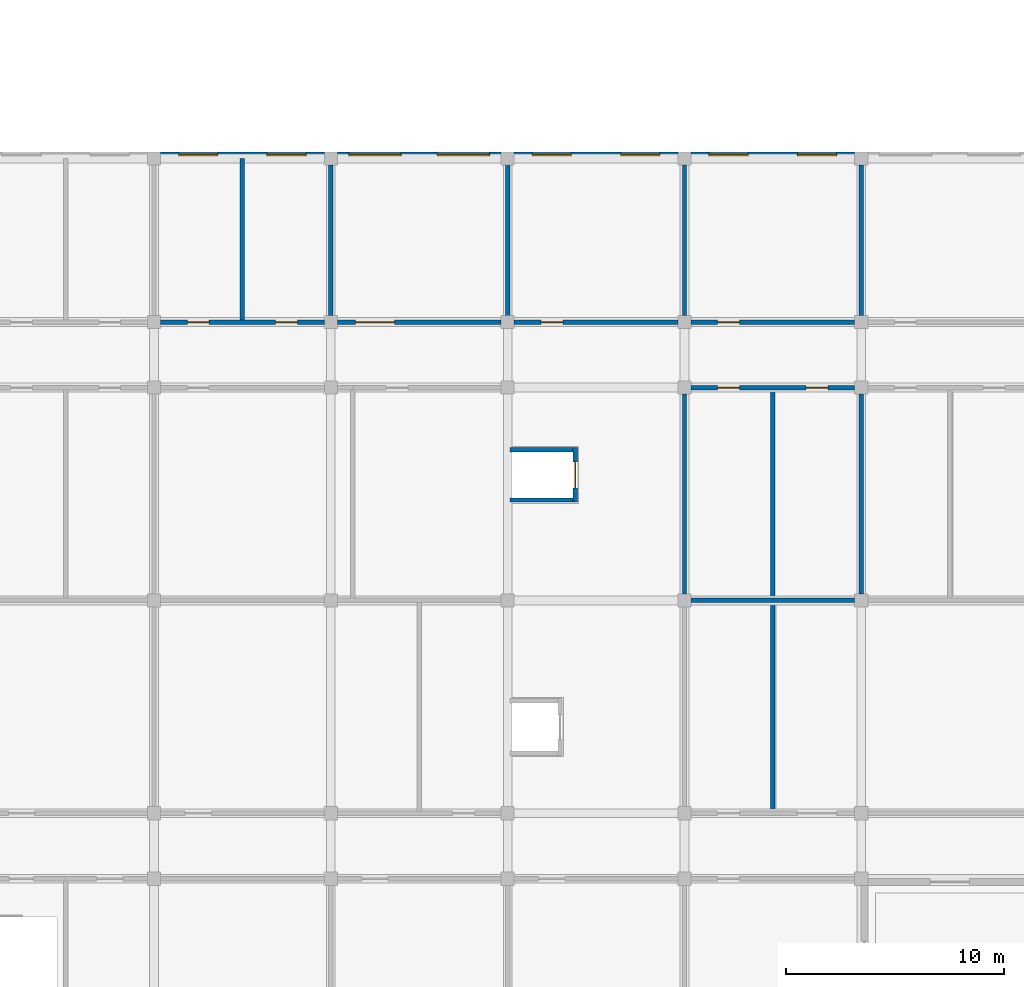
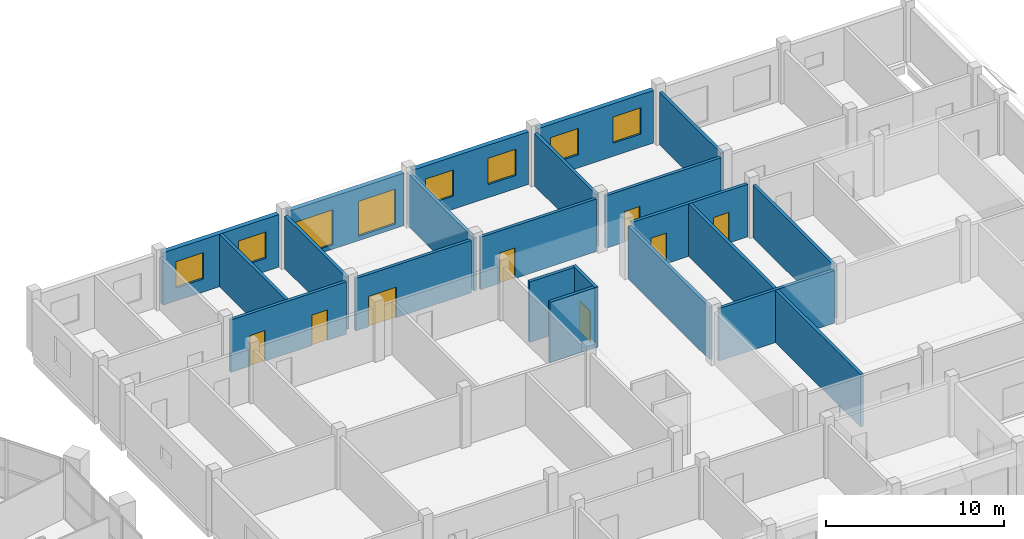
# One storey, part 27 of 38: 21 walls, 8 doors, 8 windows, 16 openings.
"""IFC4 building model written with IfcOpenShell, lengths in metres."""

from ifc_helpers import new_model, si_unit, direction, frame, frame_2d, origin, place, context, subcontext, project, spatial, rectangle, extrude, material, layer, layer_set, type_object, element, fill, save


model = new_model("IFC4")

# Units and contexts
model_context = context("Model", 3, precision=1e-05, world=origin(), true_north=direction((0.0, 1.0)))
body_context = subcontext(model_context, "Body", "Model", "MODEL_VIEW")
ifc_project = project(units=[si_unit("LENGTHUNIT", "METRE"), si_unit("AREAUNIT", "SQUARE_METRE"), si_unit("VOLUMEUNIT", "CUBIC_METRE"), si_unit("PLANEANGLEUNIT", "RADIAN"), si_unit("MASSUNIT", "GRAM", prefix="KILO")], contexts=[model_context])

# Site, building, storey
site_placement = place(None, origin())
site = spatial("IfcSite", under=ifc_project, at=site_placement, CompositionType="ELEMENT")
building_placement = place(site_placement, origin())
building = spatial("IfcBuilding", under=site, at=building_placement, Name="Frailejon Research Tower", CompositionType="ELEMENT")
storey_placement = place(building_placement, frame((0.0, 0.0, 10.199951171875)))
storey = spatial("IfcBuildingStorey", under=building, at=storey_placement, Name="L02", CompositionType="ELEMENT", Elevation=10.199951171875)

# Wall, openings, windows
ifc_material_1 = material(Name="Insulated masonry cavity wall", Category="masonry")
ifc_layer_1 = layer(ifc_material_1, 0.300048828125)
ifc_layer_set_1 = layer_set([ifc_layer_1], Name="HC facade wall 300")
wall_type_1 = type_object("IfcWallType", Name="HC facade wall 300", PredefinedType="SOLIDWALL", material=ifc_layer_set_1)
wall_1_placement = place(storey_placement, frame((52.89990234375, 20.39990234375, 0.0), z_axis=(0.0, 0.0, 1.0), x_axis=(1.0, 0.0, 0.0)))
wall_1 = element("IfcWall", 1, at=wall_1_placement, inside=storey, type_object=wall_type_1, Name="HC facade wall", PredefinedType="SOLIDWALL", context=body_context, shape_type="SweptSolid", body=[
    extrude(rectangle(XDim=7.5, YDim=0.300048828125, at=frame_2d((3.75, 0.0))), origin(), (0.0, 0.0, 1.0), 3.60009765625),
])
opening_1_placement = place(wall_1_placement, frame((0.824951171875, 0.0, 0.89990234375)))
opening_1 = element("IfcOpeningElement", 2, at=opening_1_placement, cuts=wall_1, Name="Opening HW217", PredefinedType="OPENING", context=body_context, shape_type="SweptSolid", body=[
    extrude(rectangle(XDim=1.800048828125, YDim=1.800048828125, at=frame_2d((0.89990234375, 0.89990234375))), frame((0.0, 0.159912109375, 0.0), z_axis=(0.0, -1.0, 0.0), x_axis=(1.0, 0.0, 0.0)), (0.0, 0.0, 1.0), 0.320068359375),
])
opening_2_placement = place(wall_1_placement, frame((4.875, 0.0, 0.89990234375)))
opening_2 = element("IfcOpeningElement", 3, at=opening_2_placement, cuts=wall_1, Name="Opening HW218", PredefinedType="OPENING", context=body_context, shape_type="SweptSolid", body=[
    extrude(rectangle(XDim=1.800048828125, YDim=1.800048828125, at=frame_2d((0.89990234375, 0.89990234375))), frame((0.0, 0.159912109375, 0.0), z_axis=(0.0, -1.0, 0.0), x_axis=(1.0, 0.0, 0.0)), (0.0, 0.0, 1.0), 0.320068359375),
])
ifc_material_2 = material(Name="Aluminium framed double glazing", Category="aluminium")
window_type_1 = type_object("IfcWindowType", Name="HC window 1800x1800", PartitioningType="SINGLE_PANEL", PredefinedType="WINDOW", material=ifc_material_2)
window_1_placement = place(opening_1_placement, origin())
window_1 = element("IfcWindow", 4, at=window_1_placement, inside=storey, type_object=window_type_1, Name="Window HW217 (HCW1)", OverallHeight=1.800048828125, OverallWidth=1.800048828125, PartitioningType="SINGLE_PANEL", PredefinedType="WINDOW", context=body_context, shape_type="SweptSolid", body=[
    extrude(rectangle(XDim=1.800048828125, YDim=1.800048828125, at=frame_2d((0.89990234375, 0.89990234375))), frame((0.0, 0.030029296875, 0.0), z_axis=(0.0, -1.0, 0.0), x_axis=(1.0, 0.0, 0.0)), (0.0, 0.0, 1.0), 0.06005859375),
])
fill(opening_1, window_1)
window_2_placement = place(opening_2_placement, origin())
window_2 = element("IfcWindow", 5, at=window_2_placement, inside=storey, type_object=window_type_1, Name="Window HW218 (HCW1)", OverallHeight=1.800048828125, OverallWidth=1.800048828125, PartitioningType="SINGLE_PANEL", PredefinedType="WINDOW", context=body_context, shape_type="SweptSolid", body=[
    extrude(rectangle(XDim=1.800048828125, YDim=1.800048828125, at=frame_2d((0.89990234375, 0.89990234375))), frame((0.0, 0.030029296875, 0.0), z_axis=(0.0, -1.0, 0.0), x_axis=(1.0, 0.0, 0.0)), (0.0, 0.0, 1.0), 0.06005859375),
])
fill(opening_2, window_2)

wall_2_placement = place(storey_placement, frame((61.0, 20.39990234375, 0.0), z_axis=(0.0, 0.0, 1.0), x_axis=(1.0, 0.0, 0.0)))
wall_2 = element("IfcWall", 6, at=wall_2_placement, inside=storey, type_object=wall_type_1, Name="HC facade wall", PredefinedType="SOLIDWALL", context=body_context, shape_type="SweptSolid", body=[
    extrude(rectangle(XDim=7.5, YDim=0.300048828125, at=frame_2d((3.75, 0.0))), origin(), (0.0, 0.0, 1.0), 3.60009765625),
])
opening_3_placement = place(wall_2_placement, frame((0.52490234375, 0.0, 0.300048828125)))
opening_3 = element("IfcOpeningElement", 7, at=opening_3_placement, cuts=wall_2, Name="Opening HW219", PredefinedType="OPENING", context=body_context, shape_type="SweptSolid", body=[
    extrude(rectangle(XDim=2.39990234375, YDim=2.39990234375, at=frame_2d((1.199951171875, 1.199951171875))), frame((0.0, 0.159912109375, 0.0), z_axis=(0.0, -1.0, 0.0), x_axis=(1.0, 0.0, 0.0)), (0.0, 0.0, 1.0), 0.320068359375),
])
opening_4_placement = place(wall_2_placement, frame((4.574951171875, 0.0, 0.300048828125)))
opening_4 = element("IfcOpeningElement", 8, at=opening_4_placement, cuts=wall_2, Name="Opening HW220", PredefinedType="OPENING", context=body_context, shape_type="SweptSolid", body=[
    extrude(rectangle(XDim=2.39990234375, YDim=2.39990234375, at=frame_2d((1.199951171875, 1.199951171875))), frame((0.0, 0.159912109375, 0.0), z_axis=(0.0, -1.0, 0.0), x_axis=(1.0, 0.0, 0.0)), (0.0, 0.0, 1.0), 0.320068359375),
])
ifc_material_3 = material(Name="Aluminium framed double glazing", Category="aluminium")
window_type_2 = type_object("IfcWindowType", Name="HC window 2400x2400", PartitioningType="DOUBLE_PANEL_VERTICAL", PredefinedType="WINDOW", material=ifc_material_3)
window_3_placement = place(opening_3_placement, origin())
window_3 = element("IfcWindow", 9, at=window_3_placement, inside=storey, type_object=window_type_2, Name="Window HW219 (HCW3)", OverallHeight=2.39990234375, OverallWidth=2.39990234375, PartitioningType="DOUBLE_PANEL_VERTICAL", PredefinedType="WINDOW", context=body_context, shape_type="SweptSolid", body=[
    extrude(rectangle(XDim=2.39990234375, YDim=2.39990234375, at=frame_2d((1.199951171875, 1.199951171875))), frame((0.0, 0.030029296875, 0.0), z_axis=(0.0, -1.0, 0.0), x_axis=(1.0, 0.0, 0.0)), (0.0, 0.0, 1.0), 0.06005859375),
])
fill(opening_3, window_3)
window_4_placement = place(opening_4_placement, origin())
window_4 = element("IfcWindow", 10, at=window_4_placement, inside=storey, type_object=window_type_2, Name="Window HW220 (HCW3)", OverallHeight=2.39990234375, OverallWidth=2.39990234375, PartitioningType="DOUBLE_PANEL_VERTICAL", PredefinedType="WINDOW", context=body_context, shape_type="SweptSolid", body=[
    extrude(rectangle(XDim=2.39990234375, YDim=2.39990234375, at=frame_2d((1.199951171875, 1.199951171875))), frame((0.0, 0.030029296875, 0.0), z_axis=(0.0, -1.0, 0.0), x_axis=(1.0, 0.0, 0.0)), (0.0, 0.0, 1.0), 0.06005859375),
])
fill(opening_4, window_4)

wall_3_placement = place(storey_placement, frame((69.10009765625, 20.39990234375, 0.0), z_axis=(0.0, 0.0, 1.0), x_axis=(1.0, 0.0, 0.0)))
wall_3 = element("IfcWall", 11, at=wall_3_placement, inside=storey, type_object=wall_type_1, Name="HC facade wall", PredefinedType="SOLIDWALL", context=body_context, shape_type="SweptSolid", body=[
    extrude(rectangle(XDim=7.5, YDim=0.300048828125, at=frame_2d((3.75, 0.0))), origin(), (0.0, 0.0, 1.0), 3.60009765625),
])
opening_5_placement = place(wall_3_placement, frame((0.824951171875, 0.0, 0.89990234375)))
opening_5 = element("IfcOpeningElement", 12, at=opening_5_placement, cuts=wall_3, Name="Opening HW221", PredefinedType="OPENING", context=body_context, shape_type="SweptSolid", body=[
    extrude(rectangle(XDim=1.800048828125, YDim=1.800048828125, at=frame_2d((0.89990234375, 0.89990234375))), frame((0.0, 0.159912109375, 0.0), z_axis=(0.0, -1.0, 0.0), x_axis=(1.0, 0.0, 0.0)), (0.0, 0.0, 1.0), 0.320068359375),
])
opening_6_placement = place(wall_3_placement, frame((4.875, 0.0, 0.89990234375)))
opening_6 = element("IfcOpeningElement", 13, at=opening_6_placement, cuts=wall_3, Name="Opening HW222", PredefinedType="OPENING", context=body_context, shape_type="SweptSolid", body=[
    extrude(rectangle(XDim=1.800048828125, YDim=1.800048828125, at=frame_2d((0.89990234375, 0.89990234375))), frame((0.0, 0.159912109375, 0.0), z_axis=(0.0, -1.0, 0.0), x_axis=(1.0, 0.0, 0.0)), (0.0, 0.0, 1.0), 0.320068359375),
])
window_5_placement = place(opening_5_placement, origin())
window_5 = element("IfcWindow", 14, at=window_5_placement, inside=storey, type_object=window_type_1, Name="Window HW221 (HCW1)", OverallHeight=1.800048828125, OverallWidth=1.800048828125, PartitioningType="SINGLE_PANEL", PredefinedType="WINDOW", context=body_context, shape_type="SweptSolid", body=[
    extrude(rectangle(XDim=1.800048828125, YDim=1.800048828125, at=frame_2d((0.89990234375, 0.89990234375))), frame((0.0, 0.030029296875, 0.0), z_axis=(0.0, -1.0, 0.0), x_axis=(1.0, 0.0, 0.0)), (0.0, 0.0, 1.0), 0.06005859375),
])
fill(opening_5, window_5)
window_6_placement = place(opening_6_placement, origin())
window_6 = element("IfcWindow", 15, at=window_6_placement, inside=storey, type_object=window_type_1, Name="Window HW222 (HCW1)", OverallHeight=1.800048828125, OverallWidth=1.800048828125, PartitioningType="SINGLE_PANEL", PredefinedType="WINDOW", context=body_context, shape_type="SweptSolid", body=[
    extrude(rectangle(XDim=1.800048828125, YDim=1.800048828125, at=frame_2d((0.89990234375, 0.89990234375))), frame((0.0, 0.030029296875, 0.0), z_axis=(0.0, -1.0, 0.0), x_axis=(1.0, 0.0, 0.0)), (0.0, 0.0, 1.0), 0.06005859375),
])
fill(opening_6, window_6)

wall_4_placement = place(storey_placement, frame((77.199951171875, 20.39990234375, 0.0), z_axis=(0.0, 0.0, 1.0), x_axis=(1.0, 0.0, 0.0)))
wall_4 = element("IfcWall", 16, at=wall_4_placement, inside=storey, type_object=wall_type_1, Name="HC facade wall", PredefinedType="SOLIDWALL", context=body_context, shape_type="SweptSolid", body=[
    extrude(rectangle(XDim=7.5, YDim=0.300048828125, at=frame_2d((3.75, 0.0))), origin(), (0.0, 0.0, 1.0), 3.60009765625),
])
opening_7_placement = place(wall_4_placement, frame((0.824951171875, 0.0, 0.89990234375)))
opening_7 = element("IfcOpeningElement", 17, at=opening_7_placement, cuts=wall_4, Name="Opening HW223", PredefinedType="OPENING", context=body_context, shape_type="SweptSolid", body=[
    extrude(rectangle(XDim=1.800048828125, YDim=1.800048828125, at=frame_2d((0.89990234375, 0.89990234375))), frame((0.0, 0.159912109375, 0.0), z_axis=(0.0, -1.0, 0.0), x_axis=(1.0, 0.0, 0.0)), (0.0, 0.0, 1.0), 0.320068359375),
])
opening_8_placement = place(wall_4_placement, frame((4.875, 0.0, 0.89990234375)))
opening_8 = element("IfcOpeningElement", 18, at=opening_8_placement, cuts=wall_4, Name="Opening HW224", PredefinedType="OPENING", context=body_context, shape_type="SweptSolid", body=[
    extrude(rectangle(XDim=1.800048828125, YDim=1.800048828125, at=frame_2d((0.89990234375, 0.89990234375))), frame((0.0, 0.159912109375, 0.0), z_axis=(0.0, -1.0, 0.0), x_axis=(1.0, 0.0, 0.0)), (0.0, 0.0, 1.0), 0.320068359375),
])
window_7_placement = place(opening_7_placement, origin())
window_7 = element("IfcWindow", 19, at=window_7_placement, inside=storey, type_object=window_type_1, Name="Window HW223 (HCW1)", OverallHeight=1.800048828125, OverallWidth=1.800048828125, PartitioningType="SINGLE_PANEL", PredefinedType="WINDOW", context=body_context, shape_type="SweptSolid", body=[
    extrude(rectangle(XDim=1.800048828125, YDim=1.800048828125, at=frame_2d((0.89990234375, 0.89990234375))), frame((0.0, 0.030029296875, 0.0), z_axis=(0.0, -1.0, 0.0), x_axis=(1.0, 0.0, 0.0)), (0.0, 0.0, 1.0), 0.06005859375),
])
fill(opening_7, window_7)
window_8_placement = place(opening_8_placement, origin())
window_8 = element("IfcWindow", 20, at=window_8_placement, inside=storey, type_object=window_type_1, Name="Window HW224 (HCW1)", OverallHeight=1.800048828125, OverallWidth=1.800048828125, PartitioningType="SINGLE_PANEL", PredefinedType="WINDOW", context=body_context, shape_type="SweptSolid", body=[
    extrude(rectangle(XDim=1.800048828125, YDim=1.800048828125, at=frame_2d((0.89990234375, 0.89990234375))), frame((0.0, 0.030029296875, 0.0), z_axis=(0.0, -1.0, 0.0), x_axis=(1.0, 0.0, 0.0)), (0.0, 0.0, 1.0), 0.06005859375),
])
fill(opening_8, window_8)

# Walls
ifc_material_4 = material(Name="Concrete C35/45", Category="concrete")
ifc_layer_2 = layer(ifc_material_4, 0.199951171875)
ifc_layer_set_2 = layer_set([ifc_layer_2], Name="HC fire wall 200")
wall_type_2 = type_object("IfcWallType", Name="HC fire wall 200", PredefinedType="SOLIDWALL", material=ifc_layer_set_2)
for number, where, z_axis, x_axis, name in (
    (21, (68.89990234375, 4.60009765625, 0.0), (0.0, 0.0, 1.0), (1.0, 0.0, 0.0), "HC lift shaft wall"),
    (22, (68.89990234375, 6.89990234375, 0.0), (0.0, 0.0, 1.0), (1.0, 0.0, 0.0), "HC lift shaft wall"),
):
    element("IfcWall", number, at=place(storey_placement, frame(where, z_axis=z_axis, x_axis=x_axis)), inside=storey, type_object=wall_type_2, Name=name, PredefinedType="SOLIDWALL", context=body_context, shape_type="SweptSolid", body=[
        extrude(rectangle(XDim=2.900146484375, YDim=0.199951171875, at=frame_2d((1.4501953125, 0.0))), origin(), (0.0, 0.0, 1.0), 4.150146484375),
    ])

# Wall, opening, door
wall_5_placement = place(storey_placement, frame((71.89990234375, 4.5, 0.0), z_axis=(0.0, 0.0, 1.0), x_axis=(0.0, 1.0, 0.0)))
wall_5 = element("IfcWall", 23, at=wall_5_placement, inside=storey, type_object=wall_type_2, Name="HC lift shaft wall", PredefinedType="SOLIDWALL", context=body_context, shape_type="SweptSolid", body=[
    extrude(rectangle(XDim=2.5, YDim=0.199951171875, at=frame_2d((1.25, 0.0))), origin(), (0.0, 0.0, 1.0), 4.150146484375),
])
opening_9_placement = place(wall_5_placement, frame((0.64990234375, 0.0, 0.0)))
opening_9 = element("IfcOpeningElement", 24, at=opening_9_placement, cuts=wall_5, Name="Opening HLD2B", PredefinedType="OPENING", context=body_context, shape_type="SweptSolid", body=[
    extrude(rectangle(XDim=1.199951171875, YDim=2.10009765625, at=frame_2d((0.60009765625, 1.050048828125))), frame((0.0, 0.10986328125, 0.0), z_axis=(0.0, -1.0, 0.0), x_axis=(1.0, 0.0, 0.0)), (0.0, 0.0, 1.0), 0.219970703125),
])
ifc_material_5 = material(Name="Stainless steel sliding leaf", Category="steel")
door_type_1 = type_object("IfcDoorType", Name="HC lift landing door 1200", OperationType="SLIDING_TO_LEFT", PredefinedType="DOOR", material=ifc_material_5)
door_1_placement = place(opening_9_placement, origin())
door_1 = element("IfcDoor", 25, at=door_1_placement, inside=storey, type_object=door_type_1, Name="Lift landing door HLD2B", OperationType="SLIDING_TO_LEFT", OverallHeight=2.10009765625, OverallWidth=1.199951171875, PredefinedType="DOOR", context=body_context, shape_type="SweptSolid", body=[
    extrude(rectangle(XDim=1.199951171875, YDim=2.10009765625, at=frame_2d((0.60009765625, 1.050048828125))), frame((0.0, 0.02490234375, 0.0), z_axis=(0.0, -1.0, 0.0), x_axis=(1.0, 0.0, 0.0)), (0.0, 0.0, 1.0), 0.050048828125),
])
fill(opening_9, door_1)

# Walls
ifc_material_6 = material(Name="Masonry blockwork partition", Category="masonry")
ifc_layer_3 = layer(ifc_material_6, 0.199951171875)
ifc_layer_set_3 = layer_set([ifc_layer_3], Name="HC partition 200")
wall_type_3 = type_object("IfcWallType", Name="HC partition 200", PredefinedType="PARTITIONING", material=ifc_layer_set_3)
wall_6_placement = place(storey_placement, frame((60.699951171875, 13.050048828125, 0.0), z_axis=(0.0, 0.0, 1.0), x_axis=(0.0, 1.0, 0.0)))
element("IfcWall", 26, at=wall_6_placement, inside=storey, type_object=wall_type_3, Name="HC partition", PredefinedType="PARTITIONING", context=body_context, shape_type="SweptSolid", body=[
    extrude(rectangle(XDim=6.89990234375, YDim=0.199951171875, at=frame_2d((3.449951171875, 0.0))), origin(), (0.0, 0.0, 1.0), 3.60009765625),
])
wall_7_placement = place(storey_placement, frame((68.800048828125, 12.75, 0.0), z_axis=(0.0, 0.0, 1.0), x_axis=(0.0, 1.0, 0.0)))
element("IfcWall", 27, at=wall_7_placement, inside=storey, type_object=wall_type_3, Name="HC partition", PredefinedType="PARTITIONING", context=body_context, shape_type="SweptSolid", body=[
    extrude(rectangle(XDim=7.5, YDim=0.199951171875, at=frame_2d((3.75, 0.0))), origin(), (0.0, 0.0, 1.0), 3.60009765625),
])
wall_8_placement = place(storey_placement, frame((76.89990234375, 0.300048828125, 0.0), z_axis=(0.0, 0.0, 1.0), x_axis=(0.0, 1.0, 0.0)))
element("IfcWall", 28, at=wall_8_placement, inside=storey, type_object=wall_type_3, Name="HC partition", PredefinedType="PARTITIONING", context=body_context, shape_type="SweptSolid", body=[
    extrude(rectangle(XDim=9.14990234375, YDim=0.199951171875, at=frame_2d((4.574951171875, 0.0))), origin(), (0.0, 0.0, 1.0), 3.60009765625),
])
wall_9_placement = place(storey_placement, frame((76.89990234375, 13.050048828125, 0.0), z_axis=(0.0, 0.0, 1.0), x_axis=(0.0, 1.0, 0.0)))
element("IfcWall", 29, at=wall_9_placement, inside=storey, type_object=wall_type_3, Name="HC partition", PredefinedType="PARTITIONING", context=body_context, shape_type="SweptSolid", body=[
    extrude(rectangle(XDim=6.89990234375, YDim=0.199951171875, at=frame_2d((3.449951171875, 0.0))), origin(), (0.0, 0.0, 1.0), 3.60009765625),
])
wall_10_placement = place(storey_placement, frame((77.199951171875, 0.0, 0.0), z_axis=(0.0, 0.0, 1.0), x_axis=(1.0, 0.0, 0.0)))
element("IfcWall", 30, at=wall_10_placement, inside=storey, type_object=wall_type_3, Name="HC partition", PredefinedType="PARTITIONING", context=body_context, shape_type="SweptSolid", body=[
    extrude(rectangle(XDim=7.5, YDim=0.199951171875, at=frame_2d((3.75, 0.0))), origin(), (0.0, 0.0, 1.0), 3.60009765625),
])
wall_11_placement = place(storey_placement, frame((80.949951171875, -9.64990234375, 0.0), z_axis=(0.0, 0.0, 1.0), x_axis=(0.0, 1.0, 0.0)))
element("IfcWall", 31, at=wall_11_placement, inside=storey, type_object=wall_type_3, Name="HC partition", PredefinedType="PARTITIONING", context=body_context, shape_type="SweptSolid", body=[
    extrude(rectangle(XDim=19.2998046875, YDim=0.199951171875, at=frame_2d((9.64990234375, 0.0))), origin(), (0.0, 0.0, 1.0), 3.60009765625),
])

# Wall, openings, doors
wall_12_placement = place(storey_placement, frame((77.199951171875, 9.75, 0.0), z_axis=(0.0, 0.0, 1.0), x_axis=(1.0, 0.0, 0.0)))
wall_12 = element("IfcWall", 32, at=wall_12_placement, inside=storey, type_object=wall_type_3, Name="HC partition", PredefinedType="PARTITIONING", context=body_context, shape_type="SweptSolid", body=[
    extrude(rectangle(XDim=7.5, YDim=0.199951171875, at=frame_2d((3.75, 0.0))), origin(), (0.0, 0.0, 1.0), 3.60009765625),
])
opening_10_placement = place(wall_12_placement, frame((1.22509765625, 0.0, 0.0)))
opening_10 = element("IfcOpeningElement", 33, at=opening_10_placement, cuts=wall_12, Name="Opening HD219", PredefinedType="OPENING", context=body_context, shape_type="SweptSolid", body=[
    extrude(rectangle(XDim=1.0, YDim=2.10009765625, at=frame_2d((0.5, 1.050048828125))), frame((0.0, 0.10986328125, 0.0), z_axis=(0.0, -1.0, 0.0), x_axis=(1.0, 0.0, 0.0)), (0.0, 0.0, 1.0), 0.219970703125),
])
opening_11_placement = place(wall_12_placement, frame((5.27490234375, 0.0, 0.0)))
opening_11 = element("IfcOpeningElement", 34, at=opening_11_placement, cuts=wall_12, Name="Opening HD220", PredefinedType="OPENING", context=body_context, shape_type="SweptSolid", body=[
    extrude(rectangle(XDim=1.0, YDim=2.10009765625, at=frame_2d((0.5, 1.050048828125))), frame((0.0, 0.10986328125, 0.0), z_axis=(0.0, -1.0, 0.0), x_axis=(1.0, 0.0, 0.0)), (0.0, 0.0, 1.0), 0.219970703125),
])
ifc_material_7 = material(Name="Timber veneered fire door leaf", Category="wood")
door_type_2 = type_object("IfcDoorType", Name="HC door 1000 left", OperationType="SINGLE_SWING_LEFT", PredefinedType="DOOR", material=ifc_material_7)
door_2_placement = place(opening_10_placement, origin())
door_2 = element("IfcDoor", 35, at=door_2_placement, inside=storey, type_object=door_type_2, Name="Door HD219", OperationType="SINGLE_SWING_LEFT", OverallHeight=2.10009765625, OverallWidth=1.0, PredefinedType="DOOR", context=body_context, shape_type="SweptSolid", body=[
    extrude(rectangle(XDim=1.0, YDim=2.10009765625, at=frame_2d((0.5, 1.050048828125))), frame((0.0, 0.02490234375, 0.0), z_axis=(0.0, -1.0, 0.0), x_axis=(1.0, 0.0, 0.0)), (0.0, 0.0, 1.0), 0.050048828125),
])
fill(opening_10, door_2)
ifc_material_8 = material(Name="Timber veneered fire door leaf", Category="wood")
door_type_3 = type_object("IfcDoorType", Name="HC door 1000 right", OperationType="SINGLE_SWING_RIGHT", PredefinedType="DOOR", material=ifc_material_8)
door_3_placement = place(opening_11_placement, origin())
door_3 = element("IfcDoor", 36, at=door_3_placement, inside=storey, type_object=door_type_3, Name="Door HD220", OperationType="SINGLE_SWING_RIGHT", OverallHeight=2.10009765625, OverallWidth=1.0, PredefinedType="DOOR", context=body_context, shape_type="SweptSolid", body=[
    extrude(rectangle(XDim=1.0, YDim=2.10009765625, at=frame_2d((0.5, 1.050048828125))), frame((0.0, 0.02490234375, 0.0), z_axis=(0.0, -1.0, 0.0), x_axis=(1.0, 0.0, 0.0)), (0.0, 0.0, 1.0), 0.050048828125),
])
fill(opening_11, door_3)

# Walls
wall_13_placement = place(storey_placement, frame((85.0, 0.300048828125, 0.0), z_axis=(0.0, 0.0, 1.0), x_axis=(0.0, 1.0, 0.0)))
element("IfcWall", 37, at=wall_13_placement, inside=storey, type_object=wall_type_3, Name="HC partition", PredefinedType="PARTITIONING", context=body_context, shape_type="SweptSolid", body=[
    extrude(rectangle(XDim=9.14990234375, YDim=0.199951171875, at=frame_2d((4.574951171875, 0.0))), origin(), (0.0, 0.0, 1.0), 3.60009765625),
])
wall_14_placement = place(storey_placement, frame((85.0, 13.050048828125, 0.0), z_axis=(0.0, 0.0, 1.0), x_axis=(0.0, 1.0, 0.0)))
element("IfcWall", 38, at=wall_14_placement, inside=storey, type_object=wall_type_3, Name="HC partition", PredefinedType="PARTITIONING", context=body_context, shape_type="SweptSolid", body=[
    extrude(rectangle(XDim=6.89990234375, YDim=0.199951171875, at=frame_2d((3.449951171875, 0.0))), origin(), (0.0, 0.0, 1.0), 3.60009765625),
])

# Wall, openings, doors
wall_15_placement = place(storey_placement, frame((52.89990234375, 12.75, 0.0), z_axis=(0.0, 0.0, 1.0), x_axis=(1.0, 0.0, 0.0)))
wall_15 = element("IfcWall", 39, at=wall_15_placement, inside=storey, type_object=wall_type_3, Name="HC partition", PredefinedType="PARTITIONING", context=body_context, shape_type="SweptSolid", body=[
    extrude(rectangle(XDim=7.5, YDim=0.199951171875, at=frame_2d((3.75, 0.0))), origin(), (0.0, 0.0, 1.0), 3.60009765625),
])
opening_12_placement = place(wall_15_placement, frame((1.22509765625, 0.0, 0.0)))
opening_12 = element("IfcOpeningElement", 40, at=opening_12_placement, cuts=wall_15, Name="Opening HD226", PredefinedType="OPENING", context=body_context, shape_type="SweptSolid", body=[
    extrude(rectangle(XDim=1.0, YDim=2.10009765625, at=frame_2d((0.5, 1.050048828125))), frame((0.0, 0.10986328125, 0.0), z_axis=(0.0, -1.0, 0.0), x_axis=(1.0, 0.0, 0.0)), (0.0, 0.0, 1.0), 0.219970703125),
])
opening_13_placement = place(wall_15_placement, frame((5.27490234375, 0.0, 0.0)))
opening_13 = element("IfcOpeningElement", 41, at=opening_13_placement, cuts=wall_15, Name="Opening HD227", PredefinedType="OPENING", context=body_context, shape_type="SweptSolid", body=[
    extrude(rectangle(XDim=1.0, YDim=2.10009765625, at=frame_2d((0.5, 1.050048828125))), frame((0.0, 0.10986328125, 0.0), z_axis=(0.0, -1.0, 0.0), x_axis=(1.0, 0.0, 0.0)), (0.0, 0.0, 1.0), 0.219970703125),
])
door_4_placement = place(opening_13_placement, origin())
door_4 = element("IfcDoor", 42, at=door_4_placement, inside=storey, type_object=door_type_2, Name="Door HD227", OperationType="SINGLE_SWING_LEFT", OverallHeight=2.10009765625, OverallWidth=1.0, PredefinedType="DOOR", context=body_context, shape_type="SweptSolid", body=[
    extrude(rectangle(XDim=1.0, YDim=2.10009765625, at=frame_2d((0.5, 1.050048828125))), frame((0.0, 0.02490234375, 0.0), z_axis=(0.0, -1.0, 0.0), x_axis=(1.0, 0.0, 0.0)), (0.0, 0.0, 1.0), 0.050048828125),
])
fill(opening_13, door_4)
door_5_placement = place(opening_12_placement, origin())
door_5 = element("IfcDoor", 43, at=door_5_placement, inside=storey, type_object=door_type_3, Name="Door HD226", OperationType="SINGLE_SWING_RIGHT", OverallHeight=2.10009765625, OverallWidth=1.0, PredefinedType="DOOR", context=body_context, shape_type="SweptSolid", body=[
    extrude(rectangle(XDim=1.0, YDim=2.10009765625, at=frame_2d((0.5, 1.050048828125))), frame((0.0, 0.02490234375, 0.0), z_axis=(0.0, -1.0, 0.0), x_axis=(1.0, 0.0, 0.0)), (0.0, 0.0, 1.0), 0.050048828125),
])
fill(opening_12, door_5)

# Wall, opening, door
wall_16_placement = place(storey_placement, frame((61.0, 12.75, 0.0), z_axis=(0.0, 0.0, 1.0), x_axis=(1.0, 0.0, 0.0)))
wall_16 = element("IfcWall", 44, at=wall_16_placement, inside=storey, type_object=wall_type_3, Name="HC partition", PredefinedType="PARTITIONING", context=body_context, shape_type="SweptSolid", body=[
    extrude(rectangle(XDim=7.5, YDim=0.199951171875, at=frame_2d((3.75, 0.0))), origin(), (0.0, 0.0, 1.0), 3.60009765625),
])
opening_14_placement = place(wall_16_placement, frame((0.824951171875, 0.0, 0.0)))
opening_14 = element("IfcOpeningElement", 45, at=opening_14_placement, cuts=wall_16, Name="Opening HD228", PredefinedType="OPENING", context=body_context, shape_type="SweptSolid", body=[
    extrude(rectangle(XDim=1.800048828125, YDim=2.10009765625, at=frame_2d((0.89990234375, 1.050048828125))), frame((0.0, 0.10986328125, 0.0), z_axis=(0.0, -1.0, 0.0), x_axis=(1.0, 0.0, 0.0)), (0.0, 0.0, 1.0), 0.219970703125),
])
ifc_material_9 = material(Name="Timber veneered fire door leaf", Category="wood")
door_type_4 = type_object("IfcDoorType", Name="HC double door 1800", OperationType="DOUBLE_DOOR_SINGLE_SWING", PredefinedType="DOOR", material=ifc_material_9)
door_6_placement = place(opening_14_placement, origin())
door_6 = element("IfcDoor", 46, at=door_6_placement, inside=storey, type_object=door_type_4, Name="Door HD228", OperationType="DOUBLE_DOOR_SINGLE_SWING", OverallHeight=2.10009765625, OverallWidth=1.800048828125, PredefinedType="DOOR", context=body_context, shape_type="SweptSolid", body=[
    extrude(rectangle(XDim=1.800048828125, YDim=2.10009765625, at=frame_2d((0.89990234375, 1.050048828125))), frame((0.0, 0.02490234375, 0.0), z_axis=(0.0, -1.0, 0.0), x_axis=(1.0, 0.0, 0.0)), (0.0, 0.0, 1.0), 0.050048828125),
])
fill(opening_14, door_6)

wall_17_placement = place(storey_placement, frame((69.10009765625, 12.75, 0.0), z_axis=(0.0, 0.0, 1.0), x_axis=(1.0, 0.0, 0.0)))
wall_17 = element("IfcWall", 47, at=wall_17_placement, inside=storey, type_object=wall_type_3, Name="HC partition", PredefinedType="PARTITIONING", context=body_context, shape_type="SweptSolid", body=[
    extrude(rectangle(XDim=7.5, YDim=0.199951171875, at=frame_2d((3.75, 0.0))), origin(), (0.0, 0.0, 1.0), 3.60009765625),
])
opening_15_placement = place(wall_17_placement, frame((1.22509765625, 0.0, 0.0)))
opening_15 = element("IfcOpeningElement", 48, at=opening_15_placement, cuts=wall_17, Name="Opening HD229", PredefinedType="OPENING", context=body_context, shape_type="SweptSolid", body=[
    extrude(rectangle(XDim=1.0, YDim=2.10009765625, at=frame_2d((0.5, 1.050048828125))), frame((0.0, 0.10986328125, 0.0), z_axis=(0.0, -1.0, 0.0), x_axis=(1.0, 0.0, 0.0)), (0.0, 0.0, 1.0), 0.219970703125),
])
door_7_placement = place(opening_15_placement, origin())
door_7 = element("IfcDoor", 49, at=door_7_placement, inside=storey, type_object=door_type_2, Name="Door HD229", OperationType="SINGLE_SWING_LEFT", OverallHeight=2.10009765625, OverallWidth=1.0, PredefinedType="DOOR", context=body_context, shape_type="SweptSolid", body=[
    extrude(rectangle(XDim=1.0, YDim=2.10009765625, at=frame_2d((0.5, 1.050048828125))), frame((0.0, 0.02490234375, 0.0), z_axis=(0.0, -1.0, 0.0), x_axis=(1.0, 0.0, 0.0)), (0.0, 0.0, 1.0), 0.050048828125),
])
fill(opening_15, door_7)

wall_18_placement = place(storey_placement, frame((77.199951171875, 12.75, 0.0), z_axis=(0.0, 0.0, 1.0), x_axis=(1.0, 0.0, 0.0)))
wall_18 = element("IfcWall", 50, at=wall_18_placement, inside=storey, type_object=wall_type_3, Name="HC partition", PredefinedType="PARTITIONING", context=body_context, shape_type="SweptSolid", body=[
    extrude(rectangle(XDim=7.5, YDim=0.199951171875, at=frame_2d((3.75, 0.0))), origin(), (0.0, 0.0, 1.0), 3.60009765625),
])
opening_16_placement = place(wall_18_placement, frame((1.22509765625, 0.0, 0.0)))
opening_16 = element("IfcOpeningElement", 51, at=opening_16_placement, cuts=wall_18, Name="Opening HD230", PredefinedType="OPENING", context=body_context, shape_type="SweptSolid", body=[
    extrude(rectangle(XDim=1.0, YDim=2.10009765625, at=frame_2d((0.5, 1.050048828125))), frame((0.0, 0.10986328125, 0.0), z_axis=(0.0, -1.0, 0.0), x_axis=(1.0, 0.0, 0.0)), (0.0, 0.0, 1.0), 0.219970703125),
])
door_8_placement = place(opening_16_placement, origin())
door_8 = element("IfcDoor", 52, at=door_8_placement, inside=storey, type_object=door_type_3, Name="Door HD230", OperationType="SINGLE_SWING_RIGHT", OverallHeight=2.10009765625, OverallWidth=1.0, PredefinedType="DOOR", context=body_context, shape_type="SweptSolid", body=[
    extrude(rectangle(XDim=1.0, YDim=2.10009765625, at=frame_2d((0.5, 1.050048828125))), frame((0.0, 0.02490234375, 0.0), z_axis=(0.0, -1.0, 0.0), x_axis=(1.0, 0.0, 0.0)), (0.0, 0.0, 1.0), 0.050048828125),
])
fill(opening_16, door_8)

# Wall
wall_19_placement = place(storey_placement, frame((56.64990234375, 12.85009765625, 0.0), z_axis=(0.0, 0.0, 1.0), x_axis=(0.0, 1.0, 0.0)))
element("IfcWall", 53, at=wall_19_placement, inside=storey, type_object=wall_type_3, Name="HC partition", PredefinedType="PARTITIONING", context=body_context, shape_type="SweptSolid", body=[
    extrude(rectangle(XDim=7.39990234375, YDim=0.199951171875, at=frame_2d((3.699951171875, 0.0))), origin(), (0.0, 0.0, 1.0), 3.60009765625),
])

save(model, "model.ifc")
